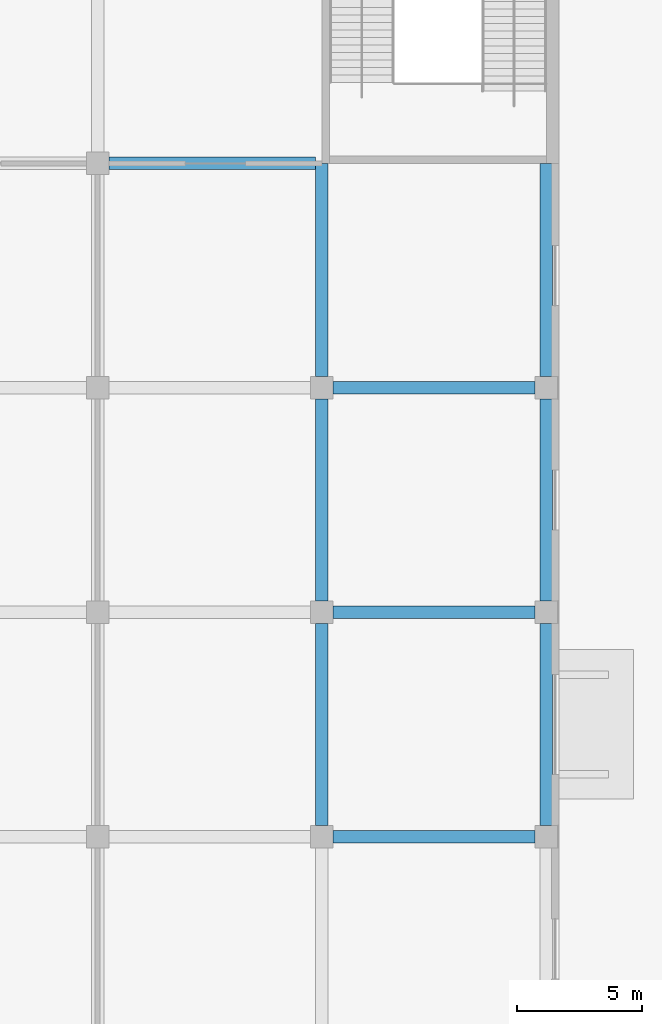
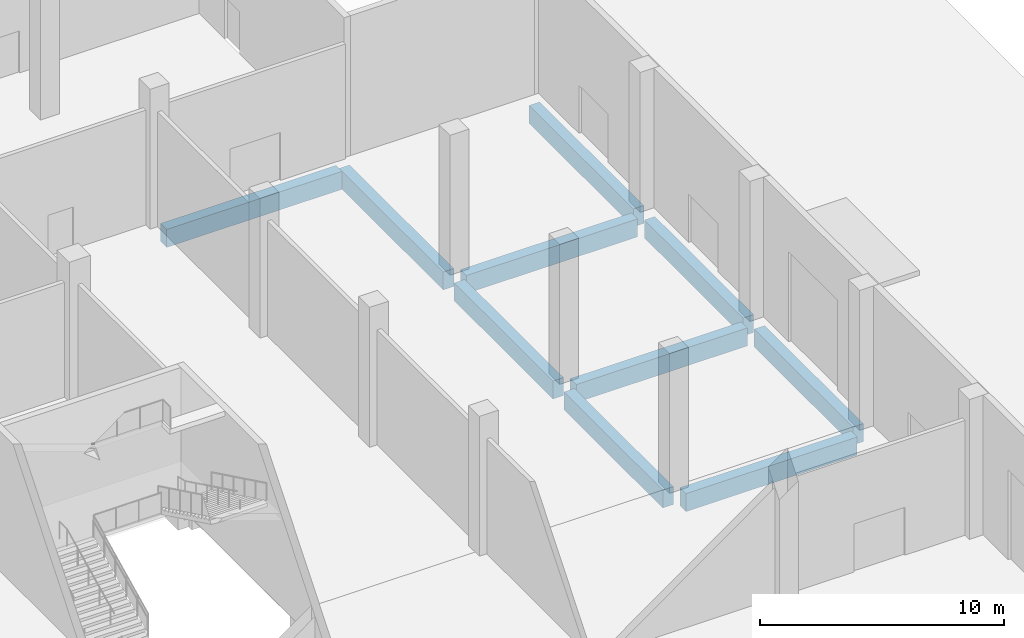
# One storey, part 16 of 92: 10 beams.
"""IFC4 building model written with IfcOpenShell, lengths in metres."""

import ifcopenshell
import ifcopenshell.guid

model = None  # the IFC model being written
_history = None  # IfcOwnerHistory: only IFC2X3 demands one
_inside = {}  # id of a spatial element -> (the spatial element, [elements in it])
_under = {}  # id of a project, library or spatial element -> (it, [spatial elements below it])
_declared = {}  # id of a project -> (the project, [libraries it declares])
_typed = {}  # id of a type object -> (the type object, [elements of that type])
_made_of = {}  # id of a material, layer set ... -> (it, [elements and type objects made of it])


def new_model(schema):
    """Start an empty IFC model of exactly this schema.

    Asked for "IFC4X3", IfcOpenShell would pick the latest addendum, in which some entities
    have other attributes; the version numbers below select the first issue.
    IFC2X3 requires an IfcOwnerHistory on every rooted entity: one is made here for all.
    """
    global model, _history
    if schema == "IFC4X3":
        model = ifcopenshell.file(schema_version=(4, 3, 0, 0))
    else:
        model = ifcopenshell.file(schema=schema)
    _inside.clear()
    _under.clear()
    _declared.clear()
    _typed.clear()
    _made_of.clear()
    _history = None
    if model.schema == "IFC2X3":
        org = make("IfcOrganization", Name="unknown")
        user = make(
            "IfcPersonAndOrganization",
            ThePerson=make("IfcPerson", FamilyName="unknown"),
            TheOrganization=org,
        )
        app = make(
            "IfcApplication",
            ApplicationDeveloper=org,
            Version="unknown",
            ApplicationFullName="unknown",
            ApplicationIdentifier="unknown",
        )
        _history = make(
            "IfcOwnerHistory",
            OwningUser=user,
            OwningApplication=app,
            ChangeAction="ADDED",
            CreationDate=0,
        )
    return model


def make(cls, **values):
    """One entity of the class cls with the attributes given. An attribute that is None is left unset."""
    return model.create_entity(
        cls, **{name: value for name, value in values.items() if value is not None}
    )


def rooted(cls, **values):
    """An entity with a GlobalId (a new one), such as an element, a storey or a relation."""
    return make(cls, GlobalId=ifcopenshell.guid.new(), OwnerHistory=_history, **values)


def si_unit(unit_type, name, prefix=None):
    """IfcSIUnit, for example si_unit("LENGTHUNIT", "METRE", prefix="MILLI")."""
    return make("IfcSIUnit", UnitType=unit_type, Prefix=prefix, Name=name)


def assignment(units):
    """IfcUnitAssignment: the units of a project."""
    return None if units is None else make("IfcUnitAssignment", Units=units)


def point(xyz):
    """IfcCartesianPoint."""
    return None if xyz is None else make("IfcCartesianPoint", Coordinates=xyz)


def direction(xyz):
    """IfcDirection."""
    return None if xyz is None else make("IfcDirection", DirectionRatios=xyz)


def frame(location, z_axis=None, x_axis=None):
    """IfcAxis2Placement3D, a coordinate frame: its origin and axes. An axis left out is left unset."""
    return make(
        "IfcAxis2Placement3D",
        Location=point(location),
        Axis=direction(z_axis),
        RefDirection=direction(x_axis),
    )


def frame_2d(location, x_axis=None):
    """IfcAxis2Placement2D, a coordinate frame in the plane: its origin and x axis."""
    return make(
        "IfcAxis2Placement2D", Location=point(location), RefDirection=direction(x_axis)
    )


def origin():
    """The frame at (0, 0, 0) with its axes left unset."""
    return frame((0.0, 0.0, 0.0))


def origin_2d():
    """The frame at (0, 0) in the plane with its x axis left unset."""
    return frame_2d((0.0, 0.0))


def place(relative_to, where):
    """IfcLocalPlacement: puts the frame where relative to a parent placement (None: the world)."""
    return make(
        "IfcLocalPlacement", PlacementRelTo=relative_to, RelativePlacement=where
    )


def context(
    kind, dimensions, precision=None, world=None, true_north=None, identifier=None
):
    """IfcGeometricRepresentationContext, for example the 3D "Model" context."""
    return make(
        "IfcGeometricRepresentationContext",
        ContextIdentifier=identifier,
        ContextType=kind,
        CoordinateSpaceDimension=dimensions,
        Precision=precision,
        WorldCoordinateSystem=world,
        TrueNorth=true_north,
    )


def subcontext(parent, identifier, kind, view, scale=None):
    """IfcGeometricRepresentationSubContext, for example "Body" below "Model"."""
    return make(
        "IfcGeometricRepresentationSubContext",
        ContextIdentifier=identifier,
        ContextType=kind,
        ParentContext=parent,
        TargetScale=scale,
        TargetView=view,
    )


def project(units=None, contexts=None):
    """IfcProject with its units and contexts."""
    return rooted(
        "IfcProject",
        Name="project",
        RepresentationContexts=contexts,
        UnitsInContext=assignment(units),
    )


def spatial(cls, under=None, at=None, **own):
    """A site, building, storey or space (cls), placed at a placement, below another one or the project."""
    s = rooted(cls, ObjectPlacement=at, **own)
    if under is not None:
        _under.setdefault(under.id(), (under, []))[1].append(s)
    return s


def profile(cls, at=None, kind="AREA", **sizes):
    """A parametric profile (cls). Its sizes go by their IFC names, for example OverallWidth=200.0."""
    return make(cls, ProfileType=kind, Position=at, **sizes)


def rectangle(**sizes):
    """IfcRectangleProfileDef."""
    return profile("IfcRectangleProfileDef", **sizes)


def extrude(swept, where, along, depth):
    """IfcExtrudedAreaSolid: the profile swept, set in the frame where, extruded along a direction by depth."""
    return make(
        "IfcExtrudedAreaSolid",
        SweptArea=swept,
        Position=where,
        ExtrudedDirection=direction(along),
        Depth=depth,
    )


def shape(context_of_items, identifier, shape_type, items):
    """IfcShapeRepresentation: the items that make up one representation, for example the "Body"."""
    return make(
        "IfcShapeRepresentation",
        ContextOfItems=context_of_items,
        RepresentationIdentifier=identifier,
        RepresentationType=shape_type,
        Items=items,
    )


def material(Name=None, Category=None):
    """IfcMaterial."""
    return make("IfcMaterial", Name=Name, Category=Category)


def material_profile(
    of_material, cross_section, Name=None, Category=None, Priority=None
):
    """IfcMaterialProfile: a cross section and its material."""
    return make(
        "IfcMaterialProfile",
        Name=Name,
        Material=of_material,
        Profile=cross_section,
        Priority=Priority,
        Category=Category,
    )


def profile_set(profiles, Name=None, composite=None):
    """IfcMaterialProfileSet."""
    return make(
        "IfcMaterialProfileSet",
        Name=Name,
        MaterialProfiles=profiles,
        CompositeProfile=composite,
    )


def made_of(thing, what):
    """Note that an element or type object is made of a material, layer set ...; save() writes the relation."""
    if what is not None:
        _made_of.setdefault(what.id(), (what, []))[1].append(thing)
    return thing


def type_object(cls, material=None, **own):
    """A type object (cls), such as IfcWallType, which elements share."""
    return made_of(rooted(cls, **own), material)


def element(
    cls,
    number,
    at=None,
    inside=None,
    cuts=None,
    type_object=None,
    material=None,
    context=None,
    identifier="Body",
    shape_type=None,
    held_by="IfcProductDefinitionShape",
    body=None,
    shapes=None,
    **own,
):
    """One element of the class cls, such as IfcWall. Its Tag is "e" and its number.

    at: its placement. inside: the storey or other place that contains it. cuts: it is an
    opening in that element (IfcRelVoidsElement). A single representation is given by context,
    identifier, shape_type and body (its items); several are given by shapes. held_by: the class
    of the entity that holds the representations. save() writes the other relations.
    """
    e = rooted(cls, Tag="e%d" % number, ObjectPlacement=at, **own)
    if body is not None:
        shapes = [shape(context, identifier, shape_type, body)]
    if shapes is not None:
        e.Representation = make(held_by, Representations=shapes)
    if inside is not None:
        _inside.setdefault(inside.id(), (inside, []))[1].append(e)
    if cuts is not None:
        rooted(
            "IfcRelVoidsElement", RelatingBuildingElement=cuts, RelatedOpeningElement=e
        )
    if type_object is not None:
        _typed.setdefault(type_object.id(), (type_object, []))[1].append(e)
    return made_of(e, material)


def aggregate(whole, parts):
    """IfcRelAggregates: a whole, such as a stair, and the parts it consists of."""
    return rooted("IfcRelAggregates", RelatingObject=whole, RelatedObjects=parts)


def save(model, path):
    """Write the relations noted so far, then the file.

    IfcRelAggregates (storeys below a building ...), IfcRelContainedInSpatialStructure (elements
    in a storey), IfcRelDefinesByType, IfcRelAssociatesMaterial and IfcRelDeclares: one each for
    every whole, place, type object, material and project.
    """
    for whole, parts in _under.values():
        aggregate(whole, parts)
    for where, things in _inside.values():
        rooted(
            "IfcRelContainedInSpatialStructure",
            RelatedElements=things,
            RelatingStructure=where,
        )
    for kind, things in _typed.values():
        rooted("IfcRelDefinesByType", RelatedObjects=things, RelatingType=kind)
    for what, things in _made_of.values():
        rooted("IfcRelAssociatesMaterial", RelatedObjects=things, RelatingMaterial=what)
    for by, libraries in _declared.values():
        rooted("IfcRelDeclares", RelatingContext=by, RelatedDefinitions=libraries)
    model.write(path)


model = new_model("IFC4")

# Units and contexts
model_context = context("Model", 3, precision=1e-05, world=origin(), true_north=direction((0.0, 1.0)))
body_context = subcontext(model_context, "Body", "Model", "MODEL_VIEW")
ifc_project = project(units=[si_unit("LENGTHUNIT", "METRE"), si_unit("AREAUNIT", "SQUARE_METRE"), si_unit("VOLUMEUNIT", "CUBIC_METRE"), si_unit("PLANEANGLEUNIT", "RADIAN"), si_unit("MASSUNIT", "GRAM", prefix="KILO")], contexts=[model_context])

# Site, building, storey
site_placement = place(None, origin())
site = spatial("IfcSite", under=ifc_project, at=site_placement, CompositionType="ELEMENT")
building_placement = place(site_placement, origin())
building = spatial("IfcBuilding", under=site, at=building_placement, Name="Silverbay Arena", CompositionType="ELEMENT")
storey_placement = place(building_placement, origin())
storey = spatial("IfcBuildingStorey", under=building, at=storey_placement, Name="L00", CompositionType="ELEMENT", Elevation=0.0)

# Beams
ifc_material = material(Name="Concrete Grade C45", Category="concrete")
ifc_material_profile = material_profile(ifc_material, rectangle(XDim=0.5, YDim=0.89990234375, at=origin_2d()), Name="RC 500x900")
ifc_profile_set = profile_set([ifc_material_profile], Name="Concrete Grade C45")
beam_type = type_object("IfcBeamType", Name="RC beam 500x900", PredefinedType="BEAM", material=ifc_profile_set)
for number, where, z_axis, x_axis, name in (
    (1, (225.449951171875, 99.0, -0.89990234375), (1.0, 0.0, 0.0), (0.0, 1.0, 0.0), "Floor beam L00 160"),
    (2, (225.449951171875, 108.0, -0.89990234375), (1.0, 0.0, 0.0), (0.0, 1.0, 0.0), "Floor beam L00 190"),
    (3, (225.449951171875, 117.0, -0.89990234375), (1.0, 0.0, 0.0), (0.0, 1.0, 0.0), "Floor beam L00 209"),
):
    element("IfcBeam", number, at=place(storey_placement, frame(where, z_axis=z_axis, x_axis=x_axis)), inside=storey, type_object=beam_type, Name=name, PredefinedType="BEAM", context=body_context, shape_type="SweptSolid", body=[
        extrude(rectangle(XDim=0.5, YDim=0.89990234375, at=origin_2d()), origin(), (0.0, 0.0, 1.0), 8.10009765625),
    ])
beam_1_placement = place(storey_placement, frame((216.449951171875, 126.0, -0.89990234375), z_axis=(1.0, 0.0, 0.0), x_axis=(0.0, 1.0, 0.0)))
element("IfcBeam", 4, at=beam_1_placement, inside=storey, type_object=beam_type, Name="Floor beam L00 217", PredefinedType="BEAM", context=body_context, shape_type="SweptSolid", body=[
    extrude(rectangle(XDim=0.5, YDim=0.89990234375, at=origin_2d()), origin(), (0.0, 0.0, 1.0), 8.300048828125),
])
for number, where, z_axis, x_axis, name in (
    (5, (225.0, 99.449951171875, -0.89990234375), (0.0, 1.0, 0.0), (-1.0, 0.0, 0.0), "Floor beam L00 459"),
    (6, (225.0, 108.449951171875, -0.89990234375), (0.0, 1.0, 0.0), (-1.0, 0.0, 0.0), "Floor beam L00 460"),
):
    element("IfcBeam", number, at=place(storey_placement, frame(where, z_axis=z_axis, x_axis=x_axis)), inside=storey, type_object=beam_type, Name=name, PredefinedType="BEAM", context=body_context, shape_type="SweptSolid", body=[
        extrude(rectangle(XDim=0.5, YDim=0.89990234375, at=origin_2d()), origin(), (0.0, 0.0, 1.0), 8.10009765625),
    ])
beam_2_placement = place(storey_placement, frame((225.0, 117.449951171875, -0.89990234375), z_axis=(0.0, 1.0, 0.0), x_axis=(-1.0, 0.0, 0.0)))
element("IfcBeam", 7, at=beam_2_placement, inside=storey, type_object=beam_type, Name="Floor beam L00 461", PredefinedType="BEAM", context=body_context, shape_type="SweptSolid", body=[
    extrude(rectangle(XDim=0.5, YDim=0.89990234375, at=origin_2d()), origin(), (0.0, 0.0, 1.0), 8.550048828125),
])
for number, where, z_axis, x_axis, name in (
    (8, (234.0, 99.449951171875, -0.89990234375), (0.0, 1.0, 0.0), (-1.0, 0.0, 0.0), "Floor beam L00 469"),
    (9, (234.0, 108.449951171875, -0.89990234375), (0.0, 1.0, 0.0), (-1.0, 0.0, 0.0), "Floor beam L00 470"),
):
    element("IfcBeam", number, at=place(storey_placement, frame(where, z_axis=z_axis, x_axis=x_axis)), inside=storey, type_object=beam_type, Name=name, PredefinedType="BEAM", context=body_context, shape_type="SweptSolid", body=[
        extrude(rectangle(XDim=0.5, YDim=0.89990234375, at=origin_2d()), origin(), (0.0, 0.0, 1.0), 8.10009765625),
    ])
beam_3_placement = place(storey_placement, frame((234.0, 117.449951171875, -0.89990234375), z_axis=(0.0, 1.0, 0.0), x_axis=(-1.0, 0.0, 0.0)))
element("IfcBeam", 10, at=beam_3_placement, inside=storey, type_object=beam_type, Name="Floor beam L00 471", PredefinedType="BEAM", context=body_context, shape_type="SweptSolid", body=[
    extrude(rectangle(XDim=0.5, YDim=0.89990234375, at=origin_2d()), origin(), (0.0, 0.0, 1.0), 8.550048828125),
])

save(model, "model.ifc")
